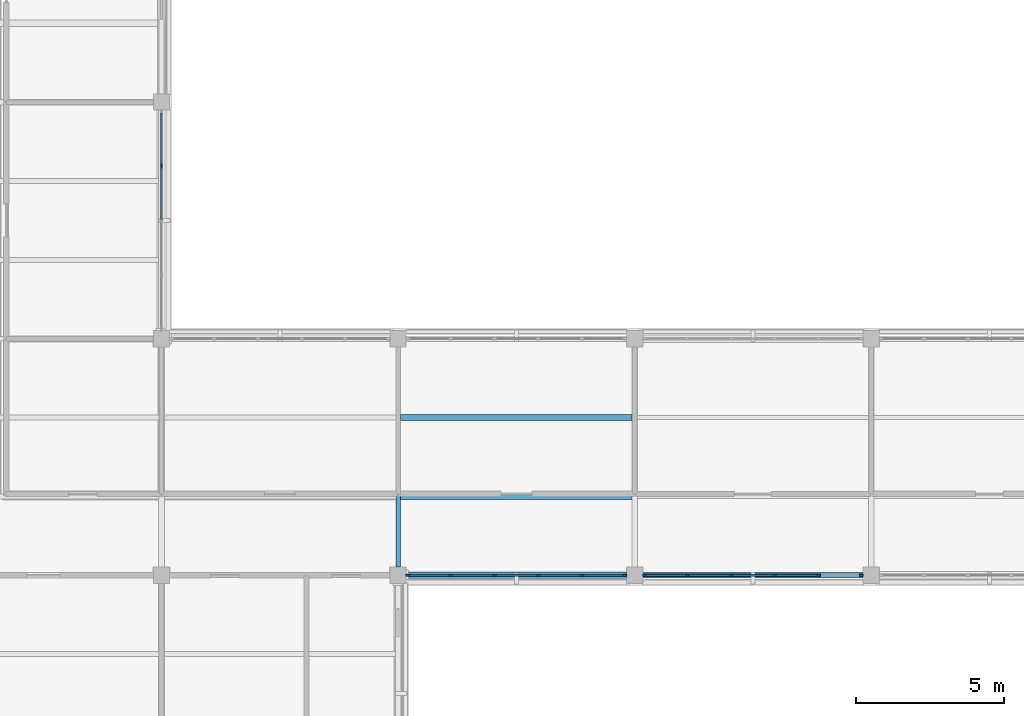
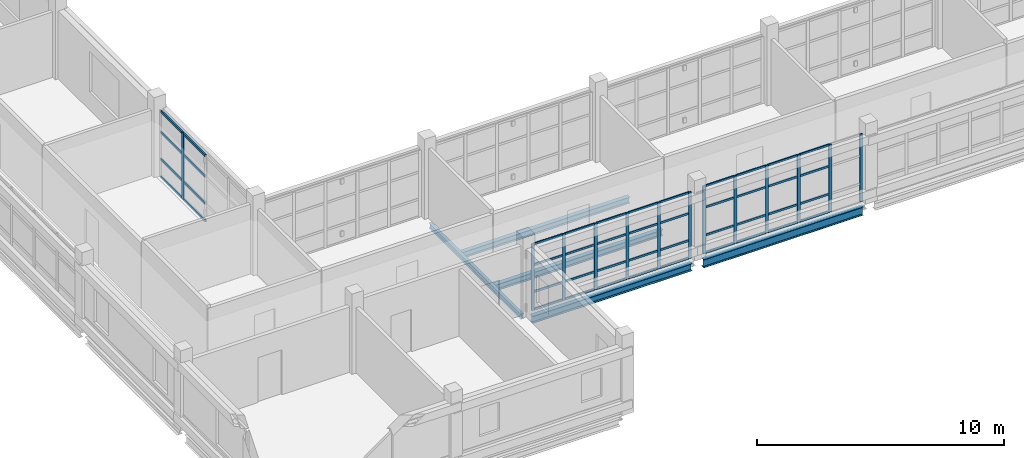
# One storey, part 8 of 92: 57 members, 5 beams, 3 elements without a shape of their own.
"""IFC4 building model written with IfcOpenShell, lengths in metres."""

from ifc_helpers import new_model, si_unit, derived_unit, direction, frame, origin, origin_2d, place, context, subcontext, project, spatial, rectangle, i_section, extrude, material, layer, layer_set, material_profile, profile_set, type_object, element, aggregate, save


model = new_model("IFC4")

# Units and contexts
model_context = context("Model", 3, precision=1e-05, world=origin(), true_north=direction((0.0, 1.0)))
body_context = subcontext(model_context, "Body", "Model", "MODEL_VIEW")
ifc_project = project(units=[si_unit("LENGTHUNIT", "METRE"), si_unit("AREAUNIT", "SQUARE_METRE"), si_unit("VOLUMEUNIT", "CUBIC_METRE"), si_unit("PLANEANGLEUNIT", "RADIAN"), si_unit("MASSUNIT", "GRAM", prefix="KILO"), derived_unit("THERMALTRANSMITTANCEUNIT", [(si_unit("MASSUNIT", "GRAM", prefix="KILO"), 1), (si_unit("TIMEUNIT", "SECOND"), -3), (si_unit("THERMODYNAMICTEMPERATUREUNIT", "KELVIN"), -1)])], contexts=[model_context])

# Site, building, storey
site_placement = place(None, origin())
site = spatial("IfcSite", under=ifc_project, at=site_placement, CompositionType="ELEMENT")
building_placement = place(site_placement, origin())
building = spatial("IfcBuilding", under=site, at=building_placement, Name="Veyamyaing Civic Hall", CompositionType="ELEMENT")
storey_placement = place(building_placement, frame((0.0, 0.0, 17.820068359375)))
storey = spatial("IfcBuildingStorey", under=building, at=storey_placement, Name="L04", CompositionType="ELEMENT", Elevation=17.820068359375)

# Beams
ifc_material_1 = material(Name="Steel ASTM A992", Category="steel")
ifc_material_profile_1 = material_profile(ifc_material_1, i_section(OverallWidth=0.2041015625, OverallDepth=0.35009765625, WebThickness=0.0078125, FlangeThickness=0.01513671875, FilletRadius=0.010009765625, at=origin_2d()), Name="W360X72")
ifc_profile_set_1 = profile_set([ifc_material_profile_1], Name="Steel ASTM A992")
beam_type_1 = type_object("IfcBeamType", Name="B-11", PredefinedType="SPANDREL", material=ifc_profile_set_1)
beam_1_placement = place(storey_placement, frame((16.27490234375, 48.0, -0.41015625), z_axis=(1.0, 0.0, 0.0), x_axis=(0.0, 1.0, 0.0)))
element("IfcBeam", 1, at=beam_1_placement, inside=storey, type_object=beam_type_1, Name="Girder B-11 L04 Grid G 3-4", PredefinedType="SPANDREL", context=body_context, shape_type="SweptSolid", body=[
    extrude(i_section(OverallWidth=0.2041015625, OverallDepth=0.35009765625, WebThickness=0.0078125, FlangeThickness=0.01513671875, FilletRadius=0.010009765625, at=origin_2d()), origin(), (0.0, 0.0, 1.0), 7.4501953125),
])
ifc_material_profile_2 = material_profile(ifc_material_1, i_section(OverallWidth=0.14599609375, OverallDepth=0.258056640625, WebThickness=0.006103515625, FlangeThickness=0.009033203125, FilletRadius=0.010009765625, at=origin_2d()), Name="W250X33")
ifc_profile_set_2 = profile_set([ifc_material_profile_2], Name="Steel ASTM A992")
beam_type_2 = type_object("IfcBeamType", Name="B-12", PredefinedType="BEAM", material=ifc_profile_set_2)
beam_2_placement = place(storey_placement, frame((16.0, 48.27490234375, -0.364013671875), z_axis=(0.0, 1.0, 0.0), x_axis=(-1.0, 0.0, 0.0)))
element("IfcBeam", 2, at=beam_2_placement, inside=storey, type_object=beam_type_2, Name="Girder B-12 L04 Grid 3 G-H", PredefinedType="BEAM", context=body_context, shape_type="SweptSolid", body=[
    extrude(i_section(OverallWidth=0.14599609375, OverallDepth=0.258056640625, WebThickness=0.006103515625, FlangeThickness=0.009033203125, FilletRadius=0.010009765625, at=origin_2d()), origin(), (0.0, 0.0, 1.0), 7.4501953125),
])
ifc_material_profile_3 = material_profile(ifc_material_1, i_section(OverallWidth=0.180908203125, OverallDepth=0.4169921875, WebThickness=0.010986328125, FlangeThickness=0.018310546875, FilletRadius=0.010009765625, at=origin_2d()), Name="W410X85")
ifc_profile_set_3 = profile_set([ifc_material_profile_3], Name="Steel ASTM A992")
beam_type_3 = type_object("IfcBeamType", Name="B-19", PredefinedType="SPANDREL", material=ifc_profile_set_3)
beam_3_placement = place(storey_placement, frame((24.27490234375, 48.0, -0.443603515625), z_axis=(1.0, 0.0, 0.0), x_axis=(0.0, 1.0, 0.0)))
element("IfcBeam", 3, at=beam_3_placement, inside=storey, type_object=beam_type_3, Name="Girder B-19 L04 Grid G 4-5", PredefinedType="SPANDREL", context=body_context, shape_type="SweptSolid", body=[
    extrude(i_section(OverallWidth=0.180908203125, OverallDepth=0.4169921875, WebThickness=0.010986328125, FlangeThickness=0.018310546875, FilletRadius=0.010009765625, at=origin_2d()), origin(), (0.0, 0.0, 1.0), 7.4501953125),
])

# Curtain wall, member
ifc_material_2 = material(Name="Anodised aluminium 6063-T6", Category="aluminium")
ifc_layer_1 = layer(ifc_material_2, 0.159912109375, Name="Anodised aluminium 6063-T6")
ifc_layer_set_1 = layer_set([ifc_layer_1], Name="Anodised aluminium 6063-T6")
curtain_wall_type_1 = type_object("IfcCurtainWallType", Name="CW-08", PredefinedType="NOTDEFINED", material=ifc_layer_set_1)
curtain_wall_1_placement = place(storey_placement, origin())
curtain_wall_1 = element("IfcCurtainWall", 4, at=curtain_wall_1_placement, inside=storey, type_object=curtain_wall_type_1, Name="Unitized curtain wall CW-08 L04 E 1.8", PredefinedType="NOTDEFINED")
ifc_material_profile_4 = material_profile(ifc_material_2, rectangle(XDim=0.06494140625, YDim=0.159912109375, at=origin_2d()), Name="ALU-MUL-65X160")
ifc_profile_set_4 = profile_set([ifc_material_profile_4], Name="Anodised aluminium 6063-T6")
member_type_1 = type_object("IfcMemberType", Name="CWM-01", PredefinedType="MULLION", material=ifc_profile_set_4)
member_1_placement = place(storey_placement, frame((8.0, 61.847412109375, 0.0), z_axis=(0.0, 0.0, 1.0), x_axis=(-1.0, 0.0, 0.0)))
member_1 = element("IfcMember", 5, at=member_1_placement, type_object=member_type_1, Name="CW-08 mullion 4", PredefinedType="MULLION", context=body_context, shape_type="SweptSolid", body=[
    extrude(rectangle(XDim=0.06494140625, YDim=0.159912109375, at=origin_2d()), origin(), (0.0, 0.0, 1.0), 3.284912109375),
])

# Curtain wall, members
ifc_layer_2 = layer(ifc_material_2, 0.139892578125, Name="Anodised aluminium 6063-T6")
ifc_layer_set_2 = layer_set([ifc_layer_2], Name="Anodised aluminium 6063-T6")
curtain_wall_type_2 = type_object("IfcCurtainWallType", Name="CW-04", PredefinedType="NOTDEFINED", material=ifc_layer_set_2)
curtain_wall_2_placement = place(storey_placement, origin())
curtain_wall_2 = element("IfcCurtainWall", 6, at=curtain_wall_2_placement, inside=storey, type_object=curtain_wall_type_2, Name="Unitized curtain wall CW-04 L04 S 3.7", PredefinedType="NOTDEFINED")
ifc_material_profile_5 = material_profile(ifc_material_2, rectangle(XDim=0.06005859375, YDim=0.139892578125, at=origin_2d()), Name="ALU-MUL-60X140")
ifc_profile_set_5 = profile_set([ifc_material_profile_5], Name="Anodised aluminium 6063-T6")
member_type_2 = type_object("IfcMemberType", Name="CWM-03", PredefinedType="MULLION", material=ifc_profile_set_5)
member_2_placement = place(storey_placement, frame((16.3349609375, 48.0, 0.0), z_axis=(0.0, 0.0, 1.0), x_axis=(0.0, 1.0, 0.0)))
member_2 = element("IfcMember", 7, at=member_2_placement, type_object=member_type_2, Name="CW-04 mullion 1", PredefinedType="MULLION", context=body_context, shape_type="SweptSolid", body=[
    extrude(rectangle(XDim=0.06005859375, YDim=0.139892578125, at=origin_2d()), origin(), (0.0, 0.0, 1.0), 3.284912109375),
])
member_3_placement = place(storey_placement, frame((17.782958984375, 48.0, 0.0), z_axis=(0.0, 0.0, 1.0), x_axis=(0.0, 1.0, 0.0)))
member_3 = element("IfcMember", 8, at=member_3_placement, type_object=member_type_2, Name="CW-04 mullion 2", PredefinedType="MULLION", context=body_context, shape_type="SweptSolid", body=[
    extrude(rectangle(XDim=0.06005859375, YDim=0.139892578125, at=origin_2d()), origin(), (0.0, 0.0, 1.0), 3.284912109375),
])
member_4_placement = place(storey_placement, frame((19.260986328125, 48.0, 0.0), z_axis=(0.0, 0.0, 1.0), x_axis=(0.0, 1.0, 0.0)))
member_4 = element("IfcMember", 9, at=member_4_placement, type_object=member_type_2, Name="CW-04 mullion 3", PredefinedType="MULLION", context=body_context, shape_type="SweptSolid", body=[
    extrude(rectangle(XDim=0.06005859375, YDim=0.139892578125, at=origin_2d()), origin(), (0.0, 0.0, 1.0), 3.284912109375),
])
member_5_placement = place(storey_placement, frame((20.739013671875, 48.0, 0.0), z_axis=(0.0, 0.0, 1.0), x_axis=(0.0, 1.0, 0.0)))
member_5 = element("IfcMember", 10, at=member_5_placement, type_object=member_type_2, Name="CW-04 mullion 4", PredefinedType="MULLION", context=body_context, shape_type="SweptSolid", body=[
    extrude(rectangle(XDim=0.06005859375, YDim=0.139892578125, at=origin_2d()), origin(), (0.0, 0.0, 1.0), 3.284912109375),
])
member_6_placement = place(storey_placement, frame((22.217041015625, 48.0, 0.0), z_axis=(0.0, 0.0, 1.0), x_axis=(0.0, 1.0, 0.0)))
member_6 = element("IfcMember", 11, at=member_6_placement, type_object=member_type_2, Name="CW-04 mullion 5", PredefinedType="MULLION", context=body_context, shape_type="SweptSolid", body=[
    extrude(rectangle(XDim=0.06005859375, YDim=0.139892578125, at=origin_2d()), origin(), (0.0, 0.0, 1.0), 3.284912109375),
])
member_7_placement = place(storey_placement, frame((23.6650390625, 48.0, 0.0), z_axis=(0.0, 0.0, 1.0), x_axis=(0.0, 1.0, 0.0)))
member_7 = element("IfcMember", 12, at=member_7_placement, type_object=member_type_2, Name="CW-04 mullion 6", PredefinedType="MULLION", context=body_context, shape_type="SweptSolid", body=[
    extrude(rectangle(XDim=0.06005859375, YDim=0.139892578125, at=origin_2d()), origin(), (0.0, 0.0, 1.0), 3.284912109375),
])

curtain_wall_3_placement = place(storey_placement, origin())
curtain_wall_3 = element("IfcCurtainWall", 13, at=curtain_wall_3_placement, inside=storey, type_object=curtain_wall_type_2, Name="Unitized curtain wall CW-04 L04 S 4.7", PredefinedType="NOTDEFINED")
member_8_placement = place(storey_placement, frame((24.3349609375, 48.0, 0.0), z_axis=(0.0, 0.0, 1.0), x_axis=(0.0, 1.0, 0.0)))
member_8 = element("IfcMember", 14, at=member_8_placement, type_object=member_type_2, Name="CW-04 mullion 1", PredefinedType="MULLION", context=body_context, shape_type="SweptSolid", body=[
    extrude(rectangle(XDim=0.06005859375, YDim=0.139892578125, at=origin_2d()), origin(), (0.0, 0.0, 1.0), 3.348876953125),
])
member_9_placement = place(storey_placement, frame((25.782958984375, 48.0, 0.0), z_axis=(0.0, 0.0, 1.0), x_axis=(0.0, 1.0, 0.0)))
member_9 = element("IfcMember", 15, at=member_9_placement, type_object=member_type_2, Name="CW-04 mullion 2", PredefinedType="MULLION", context=body_context, shape_type="SweptSolid", body=[
    extrude(rectangle(XDim=0.06005859375, YDim=0.139892578125, at=origin_2d()), origin(), (0.0, 0.0, 1.0), 3.348876953125),
])
member_10_placement = place(storey_placement, frame((27.260986328125, 48.0, 0.0), z_axis=(0.0, 0.0, 1.0), x_axis=(0.0, 1.0, 0.0)))
member_10 = element("IfcMember", 16, at=member_10_placement, type_object=member_type_2, Name="CW-04 mullion 3", PredefinedType="MULLION", context=body_context, shape_type="SweptSolid", body=[
    extrude(rectangle(XDim=0.06005859375, YDim=0.139892578125, at=origin_2d()), origin(), (0.0, 0.0, 1.0), 3.348876953125),
])
member_11_placement = place(storey_placement, frame((28.739013671875, 48.0, 0.0), z_axis=(0.0, 0.0, 1.0), x_axis=(0.0, 1.0, 0.0)))
member_11 = element("IfcMember", 17, at=member_11_placement, type_object=member_type_2, Name="CW-04 mullion 4", PredefinedType="MULLION", context=body_context, shape_type="SweptSolid", body=[
    extrude(rectangle(XDim=0.06005859375, YDim=0.139892578125, at=origin_2d()), origin(), (0.0, 0.0, 1.0), 3.348876953125),
])
member_12_placement = place(storey_placement, frame((30.217041015625, 48.0, 0.0), z_axis=(0.0, 0.0, 1.0), x_axis=(0.0, 1.0, 0.0)))
member_12 = element("IfcMember", 18, at=member_12_placement, type_object=member_type_2, Name="CW-04 mullion 5", PredefinedType="MULLION", context=body_context, shape_type="SweptSolid", body=[
    extrude(rectangle(XDim=0.06005859375, YDim=0.139892578125, at=origin_2d()), origin(), (0.0, 0.0, 1.0), 3.348876953125),
])
member_13_placement = place(storey_placement, frame((31.6650390625, 48.0, 0.0), z_axis=(0.0, 0.0, 1.0), x_axis=(0.0, 1.0, 0.0)))
member_13 = element("IfcMember", 19, at=member_13_placement, type_object=member_type_2, Name="CW-04 mullion 6", PredefinedType="MULLION", context=body_context, shape_type="SweptSolid", body=[
    extrude(rectangle(XDim=0.06005859375, YDim=0.139892578125, at=origin_2d()), origin(), (0.0, 0.0, 1.0), 3.348876953125),
])

# Member
ifc_material_profile_6 = material_profile(ifc_material_2, rectangle(XDim=0.06494140625, YDim=0.1201171875, at=origin_2d()), Name="ALU-TRN-65X120")
ifc_profile_set_6 = profile_set([ifc_material_profile_6], Name="Anodised aluminium 6063-T6")
member_type_3 = type_object("IfcMemberType", Name="CWT-01", PredefinedType="USERDEFINED", material=ifc_profile_set_6)
member_14_placement = place(storey_placement, frame((8.0, 60.032470703125, 0.032470703125), z_axis=(0.0, 1.0, 0.0), x_axis=(-1.0, 0.0, 0.0)))
member_14 = element("IfcMember", 20, at=member_14_placement, type_object=member_type_3, Name="CW-08 transom 3.1", ObjectType="TRANSOM", PredefinedType="USERDEFINED", context=body_context, shape_type="SweptSolid", body=[
    extrude(rectangle(XDim=0.06494140625, YDim=0.1201171875, at=origin_2d()), origin(), (0.0, 0.0, 1.0), 1.782470703125),
])

member_15_placement = place(storey_placement, frame((8.0, 60.032470703125, 0.89990234375), z_axis=(0.0, 1.0, 0.0), x_axis=(-1.0, 0.0, 0.0)))
member_15 = element("IfcMember", 21, at=member_15_placement, type_object=member_type_3, Name="CW-08 transom 3.2", ObjectType="TRANSOM", PredefinedType="USERDEFINED", context=body_context, shape_type="SweptSolid", body=[
    extrude(rectangle(XDim=0.06494140625, YDim=0.1201171875, at=origin_2d()), origin(), (0.0, 0.0, 1.0), 1.782470703125),
])

member_16_placement = place(storey_placement, frame((8.0, 60.032470703125, 2.233642578125), z_axis=(0.0, 1.0, 0.0), x_axis=(-1.0, 0.0, 0.0)))
member_16 = element("IfcMember", 22, at=member_16_placement, type_object=member_type_3, Name="CW-08 transom 3.3", ObjectType="TRANSOM", PredefinedType="USERDEFINED", context=body_context, shape_type="SweptSolid", body=[
    extrude(rectangle(XDim=0.06494140625, YDim=0.1201171875, at=origin_2d()), origin(), (0.0, 0.0, 1.0), 1.782470703125),
])

member_17_placement = place(storey_placement, frame((8.0, 60.032470703125, 3.25244140625), z_axis=(0.0, 1.0, 0.0), x_axis=(-1.0, 0.0, 0.0)))
member_17 = element("IfcMember", 23, at=member_17_placement, type_object=member_type_3, Name="CW-08 transom 3.4", ObjectType="TRANSOM", PredefinedType="USERDEFINED", context=body_context, shape_type="SweptSolid", body=[
    extrude(rectangle(XDim=0.06494140625, YDim=0.1201171875, at=origin_2d()), origin(), (0.0, 0.0, 1.0), 1.782470703125),
])

member_18_placement = place(storey_placement, frame((8.0, 61.8798828125, 0.032470703125), z_axis=(0.0, 1.0, 0.0), x_axis=(-1.0, 0.0, 0.0)))
member_18 = element("IfcMember", 24, at=member_18_placement, type_object=member_type_3, Name="CW-08 transom 4.1", ObjectType="TRANSOM", PredefinedType="USERDEFINED", context=body_context, shape_type="SweptSolid", body=[
    extrude(rectangle(XDim=0.06494140625, YDim=0.1201171875, at=origin_2d()), origin(), (0.0, 0.0, 1.0), 1.75),
])

member_19_placement = place(storey_placement, frame((8.0, 61.8798828125, 0.89990234375), z_axis=(0.0, 1.0, 0.0), x_axis=(-1.0, 0.0, 0.0)))
member_19 = element("IfcMember", 25, at=member_19_placement, type_object=member_type_3, Name="CW-08 transom 4.2", ObjectType="TRANSOM", PredefinedType="USERDEFINED", context=body_context, shape_type="SweptSolid", body=[
    extrude(rectangle(XDim=0.06494140625, YDim=0.1201171875, at=origin_2d()), origin(), (0.0, 0.0, 1.0), 1.75),
])

member_20_placement = place(storey_placement, frame((8.0, 61.8798828125, 2.233642578125), z_axis=(0.0, 1.0, 0.0), x_axis=(-1.0, 0.0, 0.0)))
member_20 = element("IfcMember", 26, at=member_20_placement, type_object=member_type_3, Name="CW-08 transom 4.3", ObjectType="TRANSOM", PredefinedType="USERDEFINED", context=body_context, shape_type="SweptSolid", body=[
    extrude(rectangle(XDim=0.06494140625, YDim=0.1201171875, at=origin_2d()), origin(), (0.0, 0.0, 1.0), 1.75),
])

member_21_placement = place(storey_placement, frame((8.0, 61.8798828125, 3.25244140625), z_axis=(0.0, 1.0, 0.0), x_axis=(-1.0, 0.0, 0.0)))
member_21 = element("IfcMember", 27, at=member_21_placement, type_object=member_type_3, Name="CW-08 transom 4.4", ObjectType="TRANSOM", PredefinedType="USERDEFINED", context=body_context, shape_type="SweptSolid", body=[
    extrude(rectangle(XDim=0.06494140625, YDim=0.1201171875, at=origin_2d()), origin(), (0.0, 0.0, 1.0), 1.75),
])

aggregate(curtain_wall_1, [member_1, member_14, member_15, member_16, member_17, member_18, member_19, member_20, member_21])

ifc_material_profile_7 = material_profile(ifc_material_2, rectangle(XDim=0.06005859375, YDim=0.10009765625, at=origin_2d()), Name="ALU-TRN-60X100")
ifc_profile_set_7 = profile_set([ifc_material_profile_7], Name="Anodised aluminium 6063-T6")
member_type_4 = type_object("IfcMemberType", Name="CWT-03", PredefinedType="USERDEFINED", material=ifc_profile_set_7)
member_22_placement = place(storey_placement, frame((16.364990234375, 48.0, 0.030029296875), z_axis=(1.0, 0.0, 0.0), x_axis=(0.0, 1.0, 0.0)))
member_22 = element("IfcMember", 28, at=member_22_placement, type_object=member_type_4, Name="CW-04 transom 1.1", ObjectType="TRANSOM", PredefinedType="USERDEFINED", context=body_context, shape_type="SweptSolid", body=[
    extrude(rectangle(XDim=0.06005859375, YDim=0.10009765625, at=origin_2d()), origin(), (0.0, 0.0, 1.0), 1.387939453125),
])

member_23_placement = place(storey_placement, frame((16.364990234375, 48.0, 0.89990234375), z_axis=(1.0, 0.0, 0.0), x_axis=(0.0, 1.0, 0.0)))
member_23 = element("IfcMember", 29, at=member_23_placement, type_object=member_type_4, Name="CW-04 transom 1.2", ObjectType="TRANSOM", PredefinedType="USERDEFINED", context=body_context, shape_type="SweptSolid", body=[
    extrude(rectangle(XDim=0.06005859375, YDim=0.10009765625, at=origin_2d()), origin(), (0.0, 0.0, 1.0), 1.387939453125),
])

member_24_placement = place(storey_placement, frame((16.364990234375, 48.0, 2.233642578125), z_axis=(1.0, 0.0, 0.0), x_axis=(0.0, 1.0, 0.0)))
member_24 = element("IfcMember", 30, at=member_24_placement, type_object=member_type_4, Name="CW-04 transom 1.3", ObjectType="TRANSOM", PredefinedType="USERDEFINED", context=body_context, shape_type="SweptSolid", body=[
    extrude(rectangle(XDim=0.06005859375, YDim=0.10009765625, at=origin_2d()), origin(), (0.0, 0.0, 1.0), 1.387939453125),
])

member_25_placement = place(storey_placement, frame((16.364990234375, 48.0, 3.2548828125), z_axis=(1.0, 0.0, 0.0), x_axis=(0.0, 1.0, 0.0)))
member_25 = element("IfcMember", 31, at=member_25_placement, type_object=member_type_4, Name="CW-04 transom 1.4", ObjectType="TRANSOM", PredefinedType="USERDEFINED", context=body_context, shape_type="SweptSolid", body=[
    extrude(rectangle(XDim=0.06005859375, YDim=0.10009765625, at=origin_2d()), origin(), (0.0, 0.0, 1.0), 1.387939453125),
])

member_26_placement = place(storey_placement, frame((17.81298828125, 48.0, 0.030029296875), z_axis=(1.0, 0.0, 0.0), x_axis=(0.0, 1.0, 0.0)))
member_26 = element("IfcMember", 32, at=member_26_placement, type_object=member_type_4, Name="CW-04 transom 2.1", ObjectType="TRANSOM", PredefinedType="USERDEFINED", context=body_context, shape_type="SweptSolid", body=[
    extrude(rectangle(XDim=0.06005859375, YDim=0.10009765625, at=origin_2d()), origin(), (0.0, 0.0, 1.0), 1.41796875),
])

member_27_placement = place(storey_placement, frame((17.81298828125, 48.0, 0.89990234375), z_axis=(1.0, 0.0, 0.0), x_axis=(0.0, 1.0, 0.0)))
member_27 = element("IfcMember", 33, at=member_27_placement, type_object=member_type_4, Name="CW-04 transom 2.2", ObjectType="TRANSOM", PredefinedType="USERDEFINED", context=body_context, shape_type="SweptSolid", body=[
    extrude(rectangle(XDim=0.06005859375, YDim=0.10009765625, at=origin_2d()), origin(), (0.0, 0.0, 1.0), 1.41796875),
])

member_28_placement = place(storey_placement, frame((17.81298828125, 48.0, 2.233642578125), z_axis=(1.0, 0.0, 0.0), x_axis=(0.0, 1.0, 0.0)))
member_28 = element("IfcMember", 34, at=member_28_placement, type_object=member_type_4, Name="CW-04 transom 2.3", ObjectType="TRANSOM", PredefinedType="USERDEFINED", context=body_context, shape_type="SweptSolid", body=[
    extrude(rectangle(XDim=0.06005859375, YDim=0.10009765625, at=origin_2d()), origin(), (0.0, 0.0, 1.0), 1.41796875),
])

member_29_placement = place(storey_placement, frame((17.81298828125, 48.0, 3.2548828125), z_axis=(1.0, 0.0, 0.0), x_axis=(0.0, 1.0, 0.0)))
member_29 = element("IfcMember", 35, at=member_29_placement, type_object=member_type_4, Name="CW-04 transom 2.4", ObjectType="TRANSOM", PredefinedType="USERDEFINED", context=body_context, shape_type="SweptSolid", body=[
    extrude(rectangle(XDim=0.06005859375, YDim=0.10009765625, at=origin_2d()), origin(), (0.0, 0.0, 1.0), 1.41796875),
])

member_30_placement = place(storey_placement, frame((19.291015625, 48.0, 0.030029296875), z_axis=(1.0, 0.0, 0.0), x_axis=(0.0, 1.0, 0.0)))
member_30 = element("IfcMember", 36, at=member_30_placement, type_object=member_type_4, Name="CW-04 transom 3.1", ObjectType="TRANSOM", PredefinedType="USERDEFINED", context=body_context, shape_type="SweptSolid", body=[
    extrude(rectangle(XDim=0.06005859375, YDim=0.10009765625, at=origin_2d()), origin(), (0.0, 0.0, 1.0), 1.41796875),
])

member_31_placement = place(storey_placement, frame((19.291015625, 48.0, 0.89990234375), z_axis=(1.0, 0.0, 0.0), x_axis=(0.0, 1.0, 0.0)))
member_31 = element("IfcMember", 37, at=member_31_placement, type_object=member_type_4, Name="CW-04 transom 3.2", ObjectType="TRANSOM", PredefinedType="USERDEFINED", context=body_context, shape_type="SweptSolid", body=[
    extrude(rectangle(XDim=0.06005859375, YDim=0.10009765625, at=origin_2d()), origin(), (0.0, 0.0, 1.0), 1.41796875),
])

member_32_placement = place(storey_placement, frame((19.291015625, 48.0, 2.233642578125), z_axis=(1.0, 0.0, 0.0), x_axis=(0.0, 1.0, 0.0)))
member_32 = element("IfcMember", 38, at=member_32_placement, type_object=member_type_4, Name="CW-04 transom 3.3", ObjectType="TRANSOM", PredefinedType="USERDEFINED", context=body_context, shape_type="SweptSolid", body=[
    extrude(rectangle(XDim=0.06005859375, YDim=0.10009765625, at=origin_2d()), origin(), (0.0, 0.0, 1.0), 1.41796875),
])

member_33_placement = place(storey_placement, frame((19.291015625, 48.0, 3.2548828125), z_axis=(1.0, 0.0, 0.0), x_axis=(0.0, 1.0, 0.0)))
member_33 = element("IfcMember", 39, at=member_33_placement, type_object=member_type_4, Name="CW-04 transom 3.4", ObjectType="TRANSOM", PredefinedType="USERDEFINED", context=body_context, shape_type="SweptSolid", body=[
    extrude(rectangle(XDim=0.06005859375, YDim=0.10009765625, at=origin_2d()), origin(), (0.0, 0.0, 1.0), 1.41796875),
])

member_34_placement = place(storey_placement, frame((20.76904296875, 48.0, 0.030029296875), z_axis=(1.0, 0.0, 0.0), x_axis=(0.0, 1.0, 0.0)))
member_34 = element("IfcMember", 40, at=member_34_placement, type_object=member_type_4, Name="CW-04 transom 4.1", ObjectType="TRANSOM", PredefinedType="USERDEFINED", context=body_context, shape_type="SweptSolid", body=[
    extrude(rectangle(XDim=0.06005859375, YDim=0.10009765625, at=origin_2d()), origin(), (0.0, 0.0, 1.0), 1.41796875),
])

member_35_placement = place(storey_placement, frame((20.76904296875, 48.0, 0.89990234375), z_axis=(1.0, 0.0, 0.0), x_axis=(0.0, 1.0, 0.0)))
member_35 = element("IfcMember", 41, at=member_35_placement, type_object=member_type_4, Name="CW-04 transom 4.2", ObjectType="TRANSOM", PredefinedType="USERDEFINED", context=body_context, shape_type="SweptSolid", body=[
    extrude(rectangle(XDim=0.06005859375, YDim=0.10009765625, at=origin_2d()), origin(), (0.0, 0.0, 1.0), 1.41796875),
])

member_36_placement = place(storey_placement, frame((20.76904296875, 48.0, 2.233642578125), z_axis=(1.0, 0.0, 0.0), x_axis=(0.0, 1.0, 0.0)))
member_36 = element("IfcMember", 42, at=member_36_placement, type_object=member_type_4, Name="CW-04 transom 4.3", ObjectType="TRANSOM", PredefinedType="USERDEFINED", context=body_context, shape_type="SweptSolid", body=[
    extrude(rectangle(XDim=0.06005859375, YDim=0.10009765625, at=origin_2d()), origin(), (0.0, 0.0, 1.0), 1.41796875),
])

member_37_placement = place(storey_placement, frame((20.76904296875, 48.0, 3.2548828125), z_axis=(1.0, 0.0, 0.0), x_axis=(0.0, 1.0, 0.0)))
member_37 = element("IfcMember", 43, at=member_37_placement, type_object=member_type_4, Name="CW-04 transom 4.4", ObjectType="TRANSOM", PredefinedType="USERDEFINED", context=body_context, shape_type="SweptSolid", body=[
    extrude(rectangle(XDim=0.06005859375, YDim=0.10009765625, at=origin_2d()), origin(), (0.0, 0.0, 1.0), 1.41796875),
])

member_38_placement = place(storey_placement, frame((22.2470703125, 48.0, 0.030029296875), z_axis=(1.0, 0.0, 0.0), x_axis=(0.0, 1.0, 0.0)))
member_38 = element("IfcMember", 44, at=member_38_placement, type_object=member_type_4, Name="CW-04 transom 5.1", ObjectType="TRANSOM", PredefinedType="USERDEFINED", context=body_context, shape_type="SweptSolid", body=[
    extrude(rectangle(XDim=0.06005859375, YDim=0.10009765625, at=origin_2d()), origin(), (0.0, 0.0, 1.0), 1.387939453125),
])

member_39_placement = place(storey_placement, frame((22.2470703125, 48.0, 0.89990234375), z_axis=(1.0, 0.0, 0.0), x_axis=(0.0, 1.0, 0.0)))
member_39 = element("IfcMember", 45, at=member_39_placement, type_object=member_type_4, Name="CW-04 transom 5.2", ObjectType="TRANSOM", PredefinedType="USERDEFINED", context=body_context, shape_type="SweptSolid", body=[
    extrude(rectangle(XDim=0.06005859375, YDim=0.10009765625, at=origin_2d()), origin(), (0.0, 0.0, 1.0), 1.387939453125),
])

member_40_placement = place(storey_placement, frame((22.2470703125, 48.0, 2.233642578125), z_axis=(1.0, 0.0, 0.0), x_axis=(0.0, 1.0, 0.0)))
member_40 = element("IfcMember", 46, at=member_40_placement, type_object=member_type_4, Name="CW-04 transom 5.3", ObjectType="TRANSOM", PredefinedType="USERDEFINED", context=body_context, shape_type="SweptSolid", body=[
    extrude(rectangle(XDim=0.06005859375, YDim=0.10009765625, at=origin_2d()), origin(), (0.0, 0.0, 1.0), 1.387939453125),
])

member_41_placement = place(storey_placement, frame((22.2470703125, 48.0, 3.2548828125), z_axis=(1.0, 0.0, 0.0), x_axis=(0.0, 1.0, 0.0)))
member_41 = element("IfcMember", 47, at=member_41_placement, type_object=member_type_4, Name="CW-04 transom 5.4", ObjectType="TRANSOM", PredefinedType="USERDEFINED", context=body_context, shape_type="SweptSolid", body=[
    extrude(rectangle(XDim=0.06005859375, YDim=0.10009765625, at=origin_2d()), origin(), (0.0, 0.0, 1.0), 1.387939453125),
])

aggregate(curtain_wall_2, [member_2, member_3, member_4, member_5, member_6, member_7, member_22, member_23, member_24, member_25, member_26, member_27, member_28, member_29, member_30, member_31, member_32, member_33, member_34, member_35, member_36, member_37, member_38, member_39, member_40, member_41])

member_42_placement = place(storey_placement, frame((24.364990234375, 48.0, 0.030029296875), z_axis=(1.0, 0.0, 0.0), x_axis=(0.0, 1.0, 0.0)))
member_42 = element("IfcMember", 48, at=member_42_placement, type_object=member_type_4, Name="CW-04 transom 1.1", ObjectType="TRANSOM", PredefinedType="USERDEFINED", context=body_context, shape_type="SweptSolid", body=[
    extrude(rectangle(XDim=0.06005859375, YDim=0.10009765625, at=origin_2d()), origin(), (0.0, 0.0, 1.0), 1.387939453125),
])

member_43_placement = place(storey_placement, frame((24.364990234375, 48.0, 0.89990234375), z_axis=(1.0, 0.0, 0.0), x_axis=(0.0, 1.0, 0.0)))
member_43 = element("IfcMember", 49, at=member_43_placement, type_object=member_type_4, Name="CW-04 transom 1.2", ObjectType="TRANSOM", PredefinedType="USERDEFINED", context=body_context, shape_type="SweptSolid", body=[
    extrude(rectangle(XDim=0.06005859375, YDim=0.10009765625, at=origin_2d()), origin(), (0.0, 0.0, 1.0), 1.387939453125),
])

member_44_placement = place(storey_placement, frame((24.364990234375, 48.0, 2.27734375), z_axis=(1.0, 0.0, 0.0), x_axis=(0.0, 1.0, 0.0)))
member_44 = element("IfcMember", 50, at=member_44_placement, type_object=member_type_4, Name="CW-04 transom 1.3", ObjectType="TRANSOM", PredefinedType="USERDEFINED", context=body_context, shape_type="SweptSolid", body=[
    extrude(rectangle(XDim=0.06005859375, YDim=0.10009765625, at=origin_2d()), origin(), (0.0, 0.0, 1.0), 1.387939453125),
])

member_45_placement = place(storey_placement, frame((24.364990234375, 48.0, 3.31884765625), z_axis=(1.0, 0.0, 0.0), x_axis=(0.0, 1.0, 0.0)))
member_45 = element("IfcMember", 51, at=member_45_placement, type_object=member_type_4, Name="CW-04 transom 1.4", ObjectType="TRANSOM", PredefinedType="USERDEFINED", context=body_context, shape_type="SweptSolid", body=[
    extrude(rectangle(XDim=0.06005859375, YDim=0.10009765625, at=origin_2d()), origin(), (0.0, 0.0, 1.0), 1.387939453125),
])

member_46_placement = place(storey_placement, frame((25.81298828125, 48.0, 0.030029296875), z_axis=(1.0, 0.0, 0.0), x_axis=(0.0, 1.0, 0.0)))
member_46 = element("IfcMember", 52, at=member_46_placement, type_object=member_type_4, Name="CW-04 transom 2.1", ObjectType="TRANSOM", PredefinedType="USERDEFINED", context=body_context, shape_type="SweptSolid", body=[
    extrude(rectangle(XDim=0.06005859375, YDim=0.10009765625, at=origin_2d()), origin(), (0.0, 0.0, 1.0), 1.41796875),
])

member_47_placement = place(storey_placement, frame((25.81298828125, 48.0, 0.89990234375), z_axis=(1.0, 0.0, 0.0), x_axis=(0.0, 1.0, 0.0)))
member_47 = element("IfcMember", 53, at=member_47_placement, type_object=member_type_4, Name="CW-04 transom 2.2", ObjectType="TRANSOM", PredefinedType="USERDEFINED", context=body_context, shape_type="SweptSolid", body=[
    extrude(rectangle(XDim=0.06005859375, YDim=0.10009765625, at=origin_2d()), origin(), (0.0, 0.0, 1.0), 1.41796875),
])

member_48_placement = place(storey_placement, frame((25.81298828125, 48.0, 2.27734375), z_axis=(1.0, 0.0, 0.0), x_axis=(0.0, 1.0, 0.0)))
member_48 = element("IfcMember", 54, at=member_48_placement, type_object=member_type_4, Name="CW-04 transom 2.3", ObjectType="TRANSOM", PredefinedType="USERDEFINED", context=body_context, shape_type="SweptSolid", body=[
    extrude(rectangle(XDim=0.06005859375, YDim=0.10009765625, at=origin_2d()), origin(), (0.0, 0.0, 1.0), 1.41796875),
])

member_49_placement = place(storey_placement, frame((25.81298828125, 48.0, 3.31884765625), z_axis=(1.0, 0.0, 0.0), x_axis=(0.0, 1.0, 0.0)))
member_49 = element("IfcMember", 55, at=member_49_placement, type_object=member_type_4, Name="CW-04 transom 2.4", ObjectType="TRANSOM", PredefinedType="USERDEFINED", context=body_context, shape_type="SweptSolid", body=[
    extrude(rectangle(XDim=0.06005859375, YDim=0.10009765625, at=origin_2d()), origin(), (0.0, 0.0, 1.0), 1.41796875),
])

member_50_placement = place(storey_placement, frame((27.291015625, 48.0, 0.030029296875), z_axis=(1.0, 0.0, 0.0), x_axis=(0.0, 1.0, 0.0)))
member_50 = element("IfcMember", 56, at=member_50_placement, type_object=member_type_4, Name="CW-04 transom 3.1", ObjectType="TRANSOM", PredefinedType="USERDEFINED", context=body_context, shape_type="SweptSolid", body=[
    extrude(rectangle(XDim=0.06005859375, YDim=0.10009765625, at=origin_2d()), origin(), (0.0, 0.0, 1.0), 1.41796875),
])

member_51_placement = place(storey_placement, frame((27.291015625, 48.0, 0.89990234375), z_axis=(1.0, 0.0, 0.0), x_axis=(0.0, 1.0, 0.0)))
member_51 = element("IfcMember", 57, at=member_51_placement, type_object=member_type_4, Name="CW-04 transom 3.2", ObjectType="TRANSOM", PredefinedType="USERDEFINED", context=body_context, shape_type="SweptSolid", body=[
    extrude(rectangle(XDim=0.06005859375, YDim=0.10009765625, at=origin_2d()), origin(), (0.0, 0.0, 1.0), 1.41796875),
])

member_52_placement = place(storey_placement, frame((27.291015625, 48.0, 2.27734375), z_axis=(1.0, 0.0, 0.0), x_axis=(0.0, 1.0, 0.0)))
member_52 = element("IfcMember", 58, at=member_52_placement, type_object=member_type_4, Name="CW-04 transom 3.3", ObjectType="TRANSOM", PredefinedType="USERDEFINED", context=body_context, shape_type="SweptSolid", body=[
    extrude(rectangle(XDim=0.06005859375, YDim=0.10009765625, at=origin_2d()), origin(), (0.0, 0.0, 1.0), 1.41796875),
])

member_53_placement = place(storey_placement, frame((27.291015625, 48.0, 3.31884765625), z_axis=(1.0, 0.0, 0.0), x_axis=(0.0, 1.0, 0.0)))
member_53 = element("IfcMember", 59, at=member_53_placement, type_object=member_type_4, Name="CW-04 transom 3.4", ObjectType="TRANSOM", PredefinedType="USERDEFINED", context=body_context, shape_type="SweptSolid", body=[
    extrude(rectangle(XDim=0.06005859375, YDim=0.10009765625, at=origin_2d()), origin(), (0.0, 0.0, 1.0), 1.41796875),
])

member_54_placement = place(storey_placement, frame((28.76904296875, 48.0, 0.030029296875), z_axis=(1.0, 0.0, 0.0), x_axis=(0.0, 1.0, 0.0)))
member_54 = element("IfcMember", 60, at=member_54_placement, type_object=member_type_4, Name="CW-04 transom 4.1", ObjectType="TRANSOM", PredefinedType="USERDEFINED", context=body_context, shape_type="SweptSolid", body=[
    extrude(rectangle(XDim=0.06005859375, YDim=0.10009765625, at=origin_2d()), origin(), (0.0, 0.0, 1.0), 1.41796875),
])

member_55_placement = place(storey_placement, frame((28.76904296875, 48.0, 0.89990234375), z_axis=(1.0, 0.0, 0.0), x_axis=(0.0, 1.0, 0.0)))
member_55 = element("IfcMember", 61, at=member_55_placement, type_object=member_type_4, Name="CW-04 transom 4.2", ObjectType="TRANSOM", PredefinedType="USERDEFINED", context=body_context, shape_type="SweptSolid", body=[
    extrude(rectangle(XDim=0.06005859375, YDim=0.10009765625, at=origin_2d()), origin(), (0.0, 0.0, 1.0), 1.41796875),
])

member_56_placement = place(storey_placement, frame((28.76904296875, 48.0, 2.27734375), z_axis=(1.0, 0.0, 0.0), x_axis=(0.0, 1.0, 0.0)))
member_56 = element("IfcMember", 62, at=member_56_placement, type_object=member_type_4, Name="CW-04 transom 4.3", ObjectType="TRANSOM", PredefinedType="USERDEFINED", context=body_context, shape_type="SweptSolid", body=[
    extrude(rectangle(XDim=0.06005859375, YDim=0.10009765625, at=origin_2d()), origin(), (0.0, 0.0, 1.0), 1.41796875),
])

member_57_placement = place(storey_placement, frame((28.76904296875, 48.0, 3.31884765625), z_axis=(1.0, 0.0, 0.0), x_axis=(0.0, 1.0, 0.0)))
member_57 = element("IfcMember", 63, at=member_57_placement, type_object=member_type_4, Name="CW-04 transom 4.4", ObjectType="TRANSOM", PredefinedType="USERDEFINED", context=body_context, shape_type="SweptSolid", body=[
    extrude(rectangle(XDim=0.06005859375, YDim=0.10009765625, at=origin_2d()), origin(), (0.0, 0.0, 1.0), 1.41796875),
])

aggregate(curtain_wall_3, [member_8, member_9, member_10, member_11, member_12, member_13, member_42, member_43, member_44, member_45, member_46, member_47, member_48, member_49, member_50, member_51, member_52, member_53, member_54, member_55, member_56, member_57])

# Beams
ifc_material_profile_8 = material_profile(ifc_material_1, i_section(OverallWidth=0.2041015625, OverallDepth=0.305908203125, WebThickness=0.008544921875, FlangeThickness=0.0146484375, FilletRadius=0.010009765625, at=origin_2d()), Name="W310X67")
ifc_profile_set_8 = profile_set([ifc_material_profile_8], Name="Steel ASTM A992")
beam_type_4 = type_object("IfcBeamType", Name="J-06", PredefinedType="JOIST", material=ifc_profile_set_8)
for number, where, z_axis, x_axis, name in (
    (64, (16.071044921875, 50.666748046875, -0.38818359375), (1.0, 0.0, 0.0), (0.0, 1.0, 0.0), "Composite floor joist J-06 L04 3.7.1"),
    (65, (16.071044921875, 53.333251953125, -0.38818359375), (1.0, 0.0, 0.0), (0.0, 1.0, 0.0), "Composite floor joist J-06 L04 3.7.2"),
):
    element("IfcBeam", number, at=place(storey_placement, frame(where, z_axis=z_axis, x_axis=x_axis)), inside=storey, type_object=beam_type_4, Name=name, PredefinedType="JOIST", context=body_context, shape_type="SweptSolid", body=[
        extrude(i_section(OverallWidth=0.2041015625, OverallDepth=0.305908203125, WebThickness=0.008544921875, FlangeThickness=0.0146484375, FilletRadius=0.010009765625, at=origin_2d()), origin(), (0.0, 0.0, 1.0), 7.8349609375),
    ])

save(model, "model.ifc")
